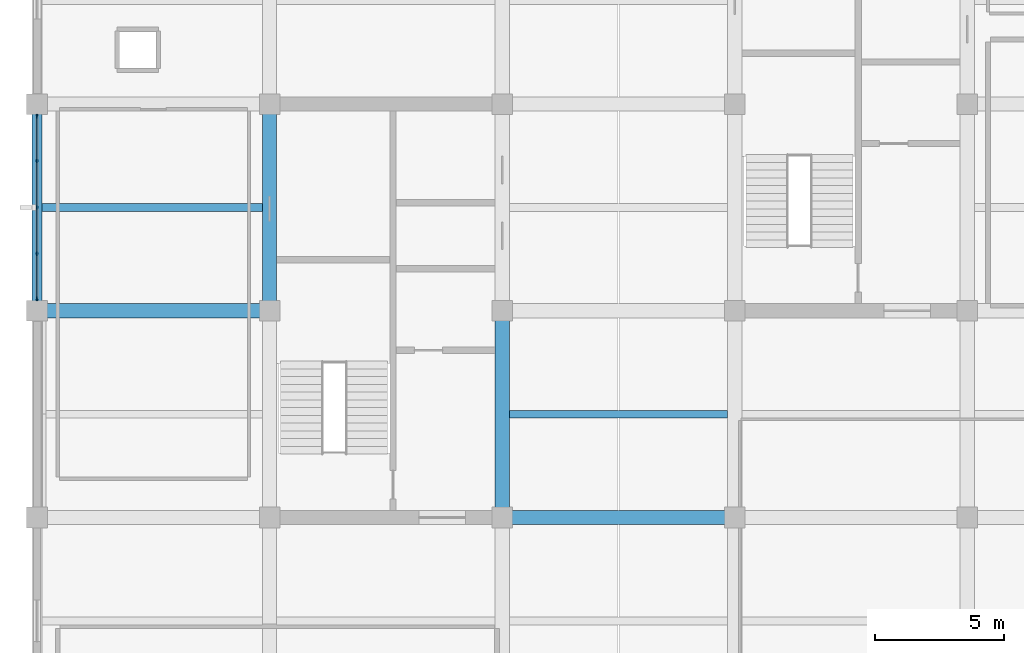
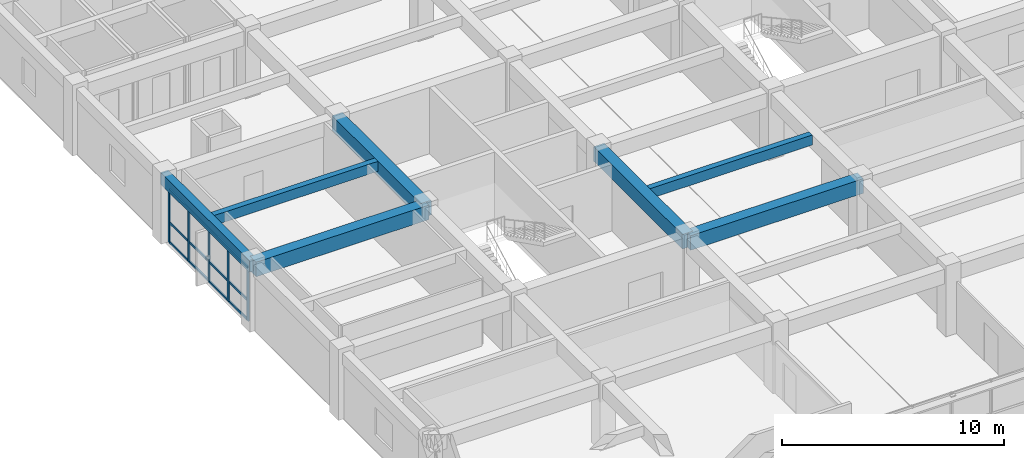
# One storey, part 4 of 17: 8 members, 7 beams, 1 element without a shape of its own.
"""IFC4 building model written with IfcOpenShell, lengths in metres."""

from ifc_helpers import new_model, si_unit, direction, frame, origin, origin_2d, place, context, subcontext, project, spatial, rectangle, extrude, material, material_profile, profile_set, type_object, element, aggregate, save


model = new_model("IFC4")

# Units and contexts
model_context = context("Model", 3, precision=1e-05, world=origin(), true_north=direction((0.0, 1.0)))
body_context = subcontext(model_context, "Body", "Model", "MODEL_VIEW")
ifc_project = project(units=[si_unit("LENGTHUNIT", "METRE"), si_unit("AREAUNIT", "SQUARE_METRE"), si_unit("VOLUMEUNIT", "CUBIC_METRE"), si_unit("PLANEANGLEUNIT", "RADIAN"), si_unit("MASSUNIT", "GRAM", prefix="KILO")], contexts=[model_context])

# Site, building, storey
site_placement = place(None, origin())
site = spatial("IfcSite", under=ifc_project, at=site_placement, CompositionType="ELEMENT")
building_placement = place(site_placement, origin())
building = spatial("IfcBuilding", under=site, at=building_placement, Name="Zaverband Oceanarium and Marine Research Institute", CompositionType="ELEMENT")
storey_placement = place(building_placement, frame((0.0, 0.0, 33.60009765625)))
storey = spatial("IfcBuildingStorey", under=building, at=storey_placement, Name="L08", CompositionType="ELEMENT", Elevation=33.60009765625)

# Beams
ifc_material_1 = material(Name="Concrete C40/50", Category="concrete")
ifc_material_profile_1 = material_profile(ifc_material_1, rectangle(XDim=0.550048828125, YDim=0.800048828125, at=origin_2d()), Name="RC550x800")
ifc_profile_set_1 = profile_set([ifc_material_profile_1], Name="Concrete C40/50")
beam_type_1 = type_object("IfcBeamType", Name="BM-550x800", PredefinedType="BEAM", material=ifc_profile_set_1)
for number, where, z_axis, x_axis, name in (
    (1, (27.0, 80.0, 3.25), (1.0, 0.0, 0.0), (0.0, 1.0, 0.0), "Primary floor girder BM-550x800"),
    (2, (9.0, 88.0, 3.25), (1.0, 0.0, 0.0), (0.0, 1.0, 0.0), "Primary floor girder BM-550x800"),
):
    element("IfcBeam", number, at=place(storey_placement, frame(where, z_axis=z_axis, x_axis=x_axis)), inside=storey, type_object=beam_type_1, Name=name, PredefinedType="BEAM", context=body_context, shape_type="SweptSolid", body=[
        extrude(rectangle(XDim=0.550048828125, YDim=0.800048828125, at=origin_2d()), origin(), (0.0, 0.0, 1.0), 9.0),
    ])
for number, where, z_axis, x_axis, name in (
    (3, (18.0, 88.0, 3.25), (0.0, 1.0, 0.0), (-1.0, 0.0, 0.0), "Primary floor girder BM-550x800"),
    (4, (27.0, 80.0, 3.25), (0.0, 1.0, 0.0), (-1.0, 0.0, 0.0), "Primary floor girder BM-550x800"),
):
    element("IfcBeam", number, at=place(storey_placement, frame(where, z_axis=z_axis, x_axis=x_axis)), inside=storey, type_object=beam_type_1, Name=name, PredefinedType="BEAM", context=body_context, shape_type="SweptSolid", body=[
        extrude(rectangle(XDim=0.550048828125, YDim=0.800048828125, at=origin_2d()), origin(), (0.0, 0.0, 1.0), 8.0),
    ])
ifc_material_profile_2 = material_profile(ifc_material_1, rectangle(XDim=0.300048828125, YDim=0.550048828125, at=origin_2d()), Name="RC300x550")
ifc_profile_set_2 = profile_set([ifc_material_profile_2], Name="Concrete C40/50")
beam_type_2 = type_object("IfcBeamType", Name="JST-300x550", PredefinedType="JOIST", material=ifc_profile_set_2)
beam_1_placement = place(storey_placement, frame((9.199951171875, 92.0, 3.375), z_axis=(1.0, 0.0, 0.0), x_axis=(0.0, 1.0, 0.0)))
element("IfcBeam", 5, at=beam_1_placement, inside=storey, type_object=beam_type_2, Name="Secondary floor joist JST-300x550", PredefinedType="JOIST", context=body_context, shape_type="SweptSolid", body=[
    extrude(rectangle(XDim=0.300048828125, YDim=0.550048828125, at=origin_2d()), origin(), (0.0, 0.0, 1.0), 8.525146484375),
])
beam_2_placement = place(storey_placement, frame((27.27490234375, 84.0, 3.375), z_axis=(1.0, 0.0, 0.0), x_axis=(0.0, 1.0, 0.0)))
element("IfcBeam", 6, at=beam_2_placement, inside=storey, type_object=beam_type_2, Name="Secondary floor joist JST-300x550", PredefinedType="JOIST", context=body_context, shape_type="SweptSolid", body=[
    extrude(rectangle(XDim=0.300048828125, YDim=0.550048828125, at=origin_2d()), origin(), (0.0, 0.0, 1.0), 8.4501953125),
])

# Curtain wall, members
ifc_material_2 = material(Name="Thermally broken anodized aluminium and solar-control glass", Category="aluminium")
curtain_wall_type = type_object("IfcCurtainWallType", Name="CW-UNIT-1800", PredefinedType="NOTDEFINED", material=ifc_material_2)
curtain_wall_placement = place(storey_placement, origin())
curtain_wall = element("IfcCurtainWall", 7, at=curtain_wall_placement, inside=storey, type_object=curtain_wall_type, Name="Unitised glazed curtain wall CW-101", PredefinedType="NOTDEFINED")
ifc_material_3 = material(Name="Thermally broken anodized aluminium", Category="aluminium")
ifc_material_profile_3 = material_profile(ifc_material_3, rectangle(XDim=0.070068359375, YDim=0.14990234375, at=origin_2d()), Name="AL-MUL-70x150")
ifc_profile_set_3 = profile_set([ifc_material_profile_3], Name="Thermally broken anodized aluminium")
member_type_1 = type_object("IfcMemberType", Name="MUL-70x150", PredefinedType="MULLION", material=ifc_profile_set_3)
member_1_placement = place(storey_placement, frame((9.0, 88.465087890625, 0.0), z_axis=(0.0, 0.0, 1.0), x_axis=(1.0, 0.0, 0.0)))
member_1 = element("IfcMember", 8, at=member_1_placement, type_object=member_type_1, Name="Curtain wall vertical mullion MUL-70x150", PredefinedType="MULLION", context=body_context, shape_type="SweptSolid", body=[
    extrude(rectangle(XDim=0.070068359375, YDim=0.14990234375, at=origin_2d()), origin(), (0.0, 0.0, 1.0), 2.97998046875),
])
member_2_placement = place(storey_placement, frame((9.0, 90.202392578125, 0.0), z_axis=(0.0, 0.0, 1.0), x_axis=(1.0, 0.0, 0.0)))
member_2 = element("IfcMember", 9, at=member_2_placement, type_object=member_type_1, Name="Curtain wall vertical mullion MUL-70x150", PredefinedType="MULLION", context=body_context, shape_type="SweptSolid", body=[
    extrude(rectangle(XDim=0.070068359375, YDim=0.14990234375, at=origin_2d()), origin(), (0.0, 0.0, 1.0), 2.97998046875),
])
member_3_placement = place(storey_placement, frame((9.0, 92.0, 0.0), z_axis=(0.0, 0.0, 1.0), x_axis=(1.0, 0.0, 0.0)))
member_3 = element("IfcMember", 10, at=member_3_placement, type_object=member_type_1, Name="Curtain wall vertical mullion MUL-70x150", PredefinedType="MULLION", context=body_context, shape_type="SweptSolid", body=[
    extrude(rectangle(XDim=0.070068359375, YDim=0.14990234375, at=origin_2d()), origin(), (0.0, 0.0, 1.0), 2.97998046875),
])
member_4_placement = place(storey_placement, frame((9.0, 93.797607421875, 0.0), z_axis=(0.0, 0.0, 1.0), x_axis=(1.0, 0.0, 0.0)))
member_4 = element("IfcMember", 11, at=member_4_placement, type_object=member_type_1, Name="Curtain wall vertical mullion MUL-70x150", PredefinedType="MULLION", context=body_context, shape_type="SweptSolid", body=[
    extrude(rectangle(XDim=0.070068359375, YDim=0.14990234375, at=origin_2d()), origin(), (0.0, 0.0, 1.0), 2.97998046875),
])
member_5_placement = place(storey_placement, frame((9.0, 95.534912109375, 0.0), z_axis=(0.0, 0.0, 1.0), x_axis=(1.0, 0.0, 0.0)))
member_5 = element("IfcMember", 12, at=member_5_placement, type_object=member_type_1, Name="Curtain wall vertical mullion MUL-70x150", PredefinedType="MULLION", context=body_context, shape_type="SweptSolid", body=[
    extrude(rectangle(XDim=0.070068359375, YDim=0.14990234375, at=origin_2d()), origin(), (0.0, 0.0, 1.0), 2.97998046875),
])

# Beam
ifc_material_profile_4 = material_profile(ifc_material_1, rectangle(XDim=0.39990234375, YDim=0.64990234375, at=origin_2d()), Name="RC400x650")
ifc_profile_set_4 = profile_set([ifc_material_profile_4], Name="Concrete C40/50")
beam_type_3 = type_object("IfcBeamType", Name="SPN-400x650", PredefinedType="SPANDREL", material=ifc_profile_set_4)
beam_3_placement = place(storey_placement, frame((9.0, 88.0, 3.324951171875), z_axis=(0.0, 1.0, 0.0), x_axis=(-1.0, 0.0, 0.0)))
element("IfcBeam", 13, at=beam_3_placement, inside=storey, type_object=beam_type_3, Name="Perimeter spandrel beam SPN-400x650", PredefinedType="SPANDREL", context=body_context, shape_type="SweptSolid", body=[
    extrude(rectangle(XDim=0.39990234375, YDim=0.64990234375, at=origin_2d()), origin(), (0.0, 0.0, 1.0), 8.0),
])

# Member
ifc_material_profile_5 = material_profile(ifc_material_3, rectangle(XDim=0.070068359375, YDim=0.114990234375, at=origin_2d()), Name="AL-TRN-70x115")
ifc_profile_set_5 = profile_set([ifc_material_profile_5], Name="Thermally broken anodized aluminium")
member_type_2 = type_object("IfcMemberType", Name="TRN-70x115", PredefinedType="USERDEFINED", material=ifc_profile_set_5)
member_6_placement = place(storey_placement, frame((9.0, 88.465087890625, 0.0498046875), z_axis=(0.0, 1.0, 0.0), x_axis=(-1.0, 0.0, 0.0)))
member_6 = element("IfcMember", 14, at=member_6_placement, type_object=member_type_2, Name="Curtain wall horizontal transom TRN-70x115", ObjectType="TRANSOM", PredefinedType="USERDEFINED", context=body_context, shape_type="SweptSolid", body=[
    extrude(rectangle(XDim=0.070068359375, YDim=0.114990234375, at=origin_2d()), origin(), (0.0, 0.0, 1.0), 7.06982421875),
])

member_7_placement = place(storey_placement, frame((9.0, 88.465087890625, 1.122802734375), z_axis=(0.0, 1.0, 0.0), x_axis=(-1.0, 0.0, 0.0)))
member_7 = element("IfcMember", 15, at=member_7_placement, type_object=member_type_2, Name="Curtain wall horizontal transom TRN-70x115", ObjectType="TRANSOM", PredefinedType="USERDEFINED", context=body_context, shape_type="SweptSolid", body=[
    extrude(rectangle(XDim=0.070068359375, YDim=0.114990234375, at=origin_2d()), origin(), (0.0, 0.0, 1.0), 7.06982421875),
])

member_8_placement = place(storey_placement, frame((9.0, 88.465087890625, 2.929931640625), z_axis=(0.0, 1.0, 0.0), x_axis=(-1.0, 0.0, 0.0)))
member_8 = element("IfcMember", 16, at=member_8_placement, type_object=member_type_2, Name="Curtain wall horizontal transom TRN-70x115", ObjectType="TRANSOM", PredefinedType="USERDEFINED", context=body_context, shape_type="SweptSolid", body=[
    extrude(rectangle(XDim=0.070068359375, YDim=0.114990234375, at=origin_2d()), origin(), (0.0, 0.0, 1.0), 7.06982421875),
])

aggregate(curtain_wall, [member_1, member_2, member_3, member_4, member_5, member_6, member_7, member_8])

save(model, "model.ifc")
